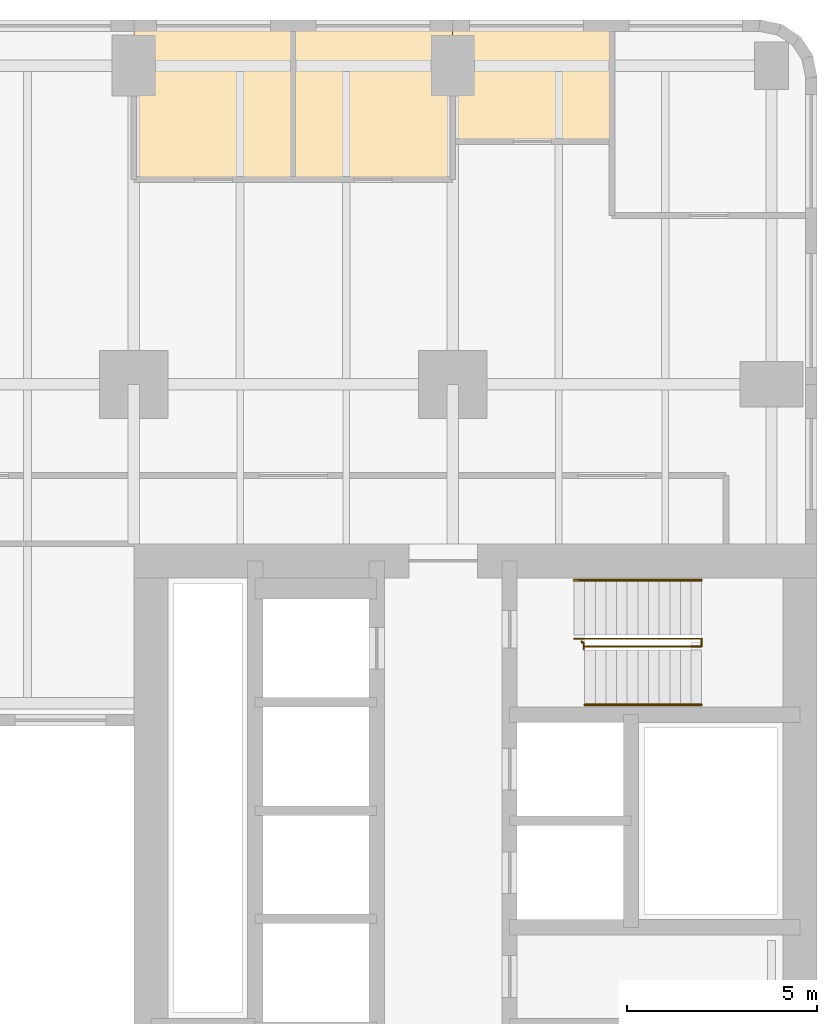
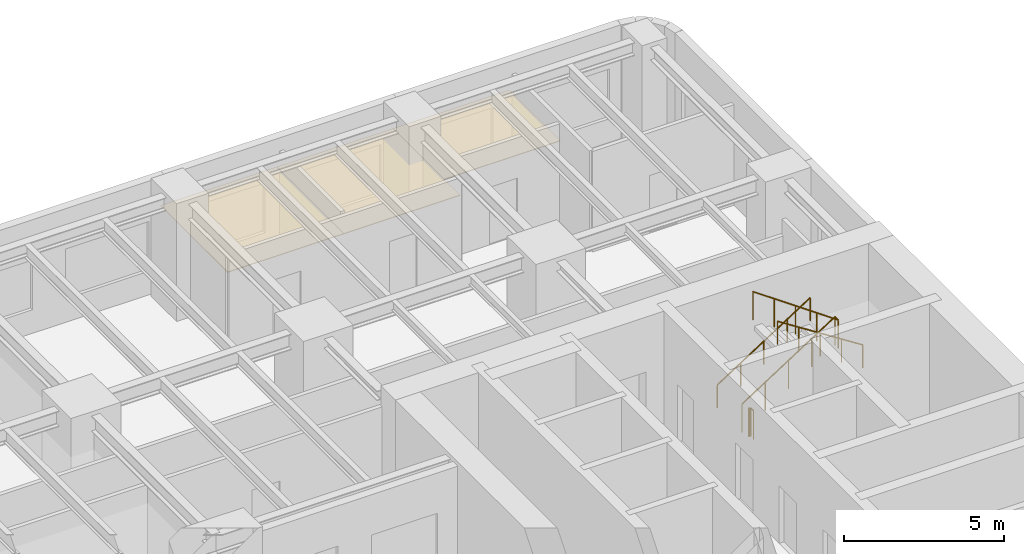
# One storey, part 12 of 12: 4 railings, 3 coverings.
"""IFC4 building model written with IfcOpenShell, lengths in metres."""

from ifc_helpers import new_model, si_unit, direction, frame, origin, origin_2d, place, context, subcontext, project, spatial, polyline, circle, outline, extrude, material, layer, layer_set, type_object, element, save


model = new_model("IFC4")

# Units and contexts
model_context = context("Model", 3, precision=1e-05, world=origin(), true_north=direction((0.0, 1.0)))
body_context = subcontext(model_context, "Body", "Model", "MODEL_VIEW")
ifc_project = project(units=[si_unit("LENGTHUNIT", "METRE"), si_unit("AREAUNIT", "SQUARE_METRE"), si_unit("VOLUMEUNIT", "CUBIC_METRE"), si_unit("PLANEANGLEUNIT", "RADIAN"), si_unit("MASSUNIT", "GRAM", prefix="KILO")], contexts=[model_context])

# Site, building, storey
site_placement = place(None, origin())
site = spatial("IfcSite", under=ifc_project, at=site_placement, CompositionType="ELEMENT")
building_placement = place(site_placement, origin())
building = spatial("IfcBuilding", under=site, at=building_placement, Name="Claustro Exchange Tower", CompositionType="ELEMENT")
storey_placement = place(building_placement, frame((0.0, 0.0, 45.89990234375)))
storey = spatial("IfcBuildingStorey", under=building, at=storey_placement, Name="L10", CompositionType="ELEMENT", Elevation=45.89990234375)

# Coverings
ifc_material_1 = material(Name="Gypsum board ceiling", Category="gypsum board")
ifc_layer = layer(ifc_material_1, 0.02490234375)
ifc_layer_set = layer_set([ifc_layer], Name="Gypsum board ceiling")
covering_type = type_object("IfcCoveringType", Name="CL2 plasterboard ceiling", PredefinedType="CEILING", material=ifc_layer_set)
covering_1_placement = place(storey_placement, frame((0.0, 0.0, 3.0)))
element("IfcCovering", 1, at=covering_1_placement, inside=storey, type_object=covering_type, Name="Ceiling CL2 L10-21", PredefinedType="CEILING", context=body_context, shape_type="SweptSolid", body=[
    extrude(outline(polyline([(37.800048828125, 51.60009765625), (33.60009765625, 51.60009765625), (33.60009765625, 47.39990234375), (37.800048828125, 47.39990234375), (37.800048828125, 51.60009765625)])), origin(), (0.0, 0.0, 1.0), 0.025146484375),
])
covering_2_placement = place(storey_placement, frame((0.0, 0.0, 3.0)))
element("IfcCovering", 2, at=covering_2_placement, inside=storey, type_object=covering_type, Name="Ceiling CL2 L10-22", PredefinedType="CEILING", context=body_context, shape_type="SweptSolid", body=[
    extrude(outline(polyline([(42.0, 51.60009765625), (37.800048828125, 51.60009765625), (37.800048828125, 47.39990234375), (42.0, 47.39990234375), (42.0, 51.60009765625)])), origin(), (0.0, 0.0, 1.0), 0.025146484375),
])
covering_3_placement = place(storey_placement, frame((0.0, 0.0, 3.0)))
element("IfcCovering", 3, at=covering_3_placement, inside=storey, type_object=covering_type, Name="Ceiling CL2 L10-23", PredefinedType="CEILING", context=body_context, shape_type="SweptSolid", body=[
    extrude(outline(polyline([(46.199951171875, 51.60009765625), (42.0, 51.60009765625), (42.0, 48.39990234375), (46.199951171875, 48.39990234375), (46.199951171875, 51.60009765625)])), origin(), (0.0, 0.0, 1.0), 0.025146484375),
])

# Railings
ifc_material_2 = material(Name="Steel balustrade, painted", Category="steel")
railing_type_1 = type_object("IfcRailingType", Name="GR2 1100 steel stair guard", PredefinedType="GUARDRAIL", material=ifc_material_2)
railing_1_placement = place(storey_placement, frame((45.199951171875, 35.300048828125, 0.18017578125)))
element("IfcRailing", 4, at=railing_1_placement, inside=storey, type_object=railing_type_1, Name="Stair well guard GR2 stair STEB L10", PredefinedType="GUARDRAIL", context=body_context, shape_type="SweptSolid", body=[
    extrude(circle(Radius=0.02392578125, at=origin_2d()), frame((0.0, 0.0, 1.076171875), z_axis=(0.84119634759, 0.0, 0.540729789082), x_axis=(0.0, 1.0, 0.0)), (0.0, 0.0, 1.0), 3.994384765625),
    extrude(circle(Radius=0.02392578125, at=origin_2d()), frame((3.360107421875, 0.0, 3.23583984375), z_axis=(0.0, -1.0, 0.0), x_axis=(1.0, 0.0, 0.0)), (0.0, 0.0, 1.0), 0.199951171875),
    extrude(circle(Radius=0.02392578125, at=origin_2d()), frame((3.360107421875, -0.199951171875, 3.23583984375), z_axis=(-0.8187499073, 0.0, 0.574150319426), x_axis=(0.0, -1.0, 0.0)), (0.0, 0.0, 1.0), 3.761962890625),
    extrude(circle(Radius=0.02099609375, at=origin_2d()), origin(), (0.0, 0.0, 1.0), 1.052001953125),
    extrude(circle(Radius=0.02099609375, at=origin_2d()), frame((0.840087890625, 0.0, 0.5400390625)), (0.0, 0.0, 1.0), 1.052001953125),
    extrude(circle(Radius=0.02099609375, at=origin_2d()), frame((1.68017578125, 0.0, 1.080078125)), (0.0, 0.0, 1.0), 1.052001953125),
    extrude(circle(Radius=0.02099609375, at=origin_2d()), frame((2.52001953125, 0.0, 1.619873046875)), (0.0, 0.0, 1.0), 1.052001953125),
    extrude(circle(Radius=0.02099609375, at=origin_2d()), frame((3.360107421875, 0.0, 2.159912109375)), (0.0, 0.0, 1.0), 1.052001953125),
    extrude(circle(Radius=0.02099609375, at=origin_2d()), frame((3.360107421875, -0.199951171875, 2.159912109375)), (0.0, 0.0, 1.0), 1.052001953125),
    extrude(circle(Radius=0.02099609375, at=origin_2d()), frame((2.590087890625, -0.199951171875, 2.699951171875)), (0.0, 0.0, 1.0), 1.052001953125),
    extrude(circle(Radius=0.02099609375, at=origin_2d()), frame((1.820068359375, -0.199951171875, 3.23974609375)), (0.0, 0.0, 1.0), 1.052001953125),
    extrude(circle(Radius=0.02099609375, at=origin_2d()), frame((1.050048828125, -0.199951171875, 3.77978515625)), (0.0, 0.0, 1.0), 1.052001953125),
    extrude(circle(Radius=0.02099609375, at=origin_2d()), frame((0.280029296875, -0.199951171875, 4.31982421875)), (0.0, 0.0, 1.0), 1.052001953125),
])
railing_2_placement = place(storey_placement, frame((45.39990234375, 35.22998046875, 0.0)))
element("IfcRailing", 5, at=railing_2_placement, inside=storey, type_object=railing_type_1, Name="Stair guard GR2 STEB L10", PredefinedType="GUARDRAIL", context=body_context, shape_type="SweptSolid", body=[
    extrude(circle(Radius=0.02392578125, at=origin_2d()), frame((0.0, 0.0, 1.076171875), z_axis=(0.0, -1.0, 0.0), x_axis=(1.0, 0.0, 0.0)), (0.0, 0.0, 1.0), 0.030029296875),
    extrude(circle(Radius=0.02392578125, at=origin_2d()), frame((0.0, -0.030029296875, 1.076171875), z_axis=(1.0, 0.0, 0.0), x_axis=(0.0, 1.0, 0.0)), (0.0, 0.0, 1.0), 0.05517578125),
    extrude(circle(Radius=0.02392578125, at=origin_2d()), frame((0.05517578125, -0.030029296875, 1.076171875), z_axis=(0.0, -1.0, 0.0), x_axis=(1.0, 0.0, 0.0)), (0.0, 0.0, 1.0), 0.179931640625),
    extrude(circle(Radius=0.02099609375, at=origin_2d()), origin(), (0.0, 0.0, 1.0), 1.052001953125),
    extrude(circle(Radius=0.02099609375, at=origin_2d()), frame((0.0, -0.030029296875, 0.0)), (0.0, 0.0, 1.0), 1.052001953125),
    extrude(circle(Radius=0.02099609375, at=origin_2d()), frame((0.05517578125, -0.030029296875, 0.0)), (0.0, 0.0, 1.0), 1.052001953125),
    extrude(circle(Radius=0.02099609375, at=origin_2d()), frame((0.05517578125, -0.2099609375, 0.0)), (0.0, 0.0, 1.0), 1.052001953125),
])
ifc_material_3 = material(Name="Stainless steel tube", Category="steel")
railing_type_2 = type_object("IfcRailingType", Name="HR1 900 stair handrail", PredefinedType="HANDRAIL", material=ifc_material_3)
railing_3_placement = place(storey_placement, frame((45.199951171875, 36.840087890625, 0.18017578125)))
element("IfcRailing", 6, at=railing_3_placement, inside=storey, type_object=railing_type_2, Name="Handrail HR1 stair STEB L10", PredefinedType="HANDRAIL", context=body_context, shape_type="SweptSolid", body=[
    extrude(circle(Radius=0.02392578125, at=origin_2d()), frame((0.0, 0.0, 0.8759765625), z_axis=(0.84119634759, 0.0, 0.540729789082), x_axis=(0.0, 1.0, 0.0)), (0.0, 0.0, 1.0), 3.994384765625),
    extrude(circle(Radius=0.02099609375, at=origin_2d()), origin(), (0.0, 0.0, 1.0), 0.851806640625),
    extrude(circle(Radius=0.02099609375, at=origin_2d()), frame((0.840087890625, 0.0, 0.5400390625)), (0.0, 0.0, 1.0), 0.851806640625),
    extrude(circle(Radius=0.02099609375, at=origin_2d()), frame((1.68017578125, 0.0, 1.080078125)), (0.0, 0.0, 1.0), 0.851806640625),
    extrude(circle(Radius=0.02099609375, at=origin_2d()), frame((2.52001953125, 0.0, 1.619873046875)), (0.0, 0.0, 1.0), 0.851806640625),
    extrude(circle(Radius=0.02099609375, at=origin_2d()), frame((3.360107421875, 0.0, 2.159912109375)), (0.0, 0.0, 1.0), 0.851806640625),
])
railing_4_placement = place(storey_placement, frame((48.56005859375, 33.56005859375, 2.52001953125)))
element("IfcRailing", 7, at=railing_4_placement, inside=storey, type_object=railing_type_2, Name="Handrail HR1 stair STEB L10", PredefinedType="HANDRAIL", context=body_context, shape_type="SweptSolid", body=[
    extrude(circle(Radius=0.02392578125, at=origin_2d()), frame((0.0, 0.0, 0.8759765625), z_axis=(-0.84118714077, 0.0, 0.540744111576), x_axis=(0.0, -1.0, 0.0)), (0.0, 0.0, 1.0), 3.66162109375),
    extrude(circle(Radius=0.02099609375, at=origin_2d()), origin(), (0.0, 0.0, 1.0), 0.851806640625),
    extrude(circle(Radius=0.02099609375, at=origin_2d()), frame((-0.77001953125, 0.0, 0.4951171875)), (0.0, 0.0, 1.0), 0.851806640625),
    extrude(circle(Radius=0.02099609375, at=origin_2d()), frame((-1.5400390625, 0.0, 0.989990234375)), (0.0, 0.0, 1.0), 0.851806640625),
    extrude(circle(Radius=0.02099609375, at=origin_2d()), frame((-2.31005859375, 0.0, 1.48486328125)), (0.0, 0.0, 1.0), 0.851806640625),
    extrude(circle(Radius=0.02099609375, at=origin_2d()), frame((-3.080078125, 0.0, 1.97998046875)), (0.0, 0.0, 1.0), 0.851806640625),
])

save(model, "model.ifc")
